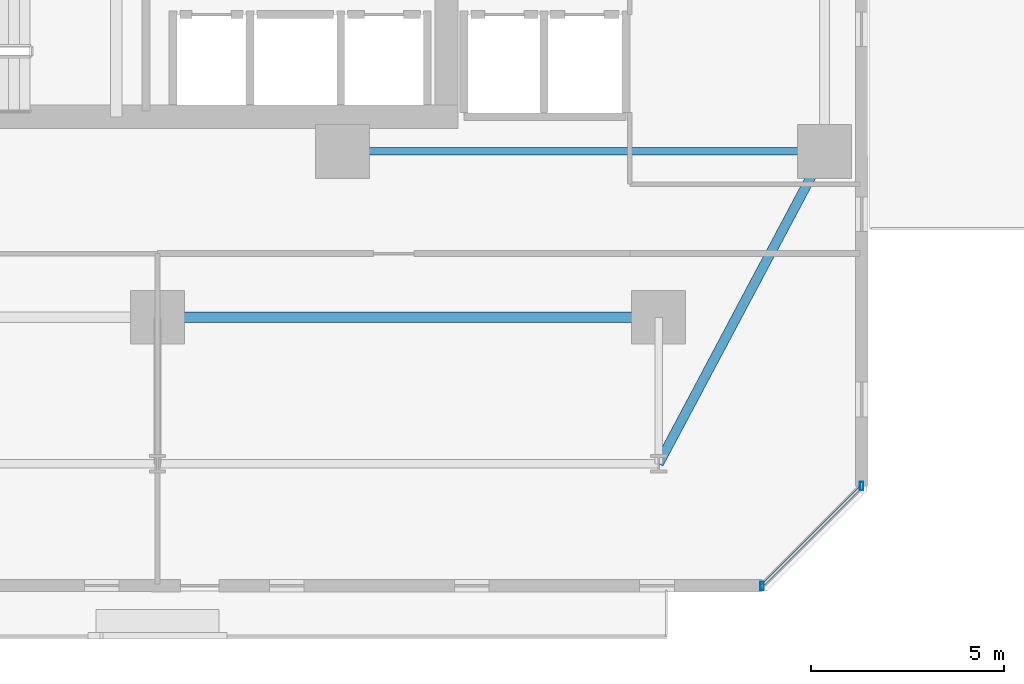
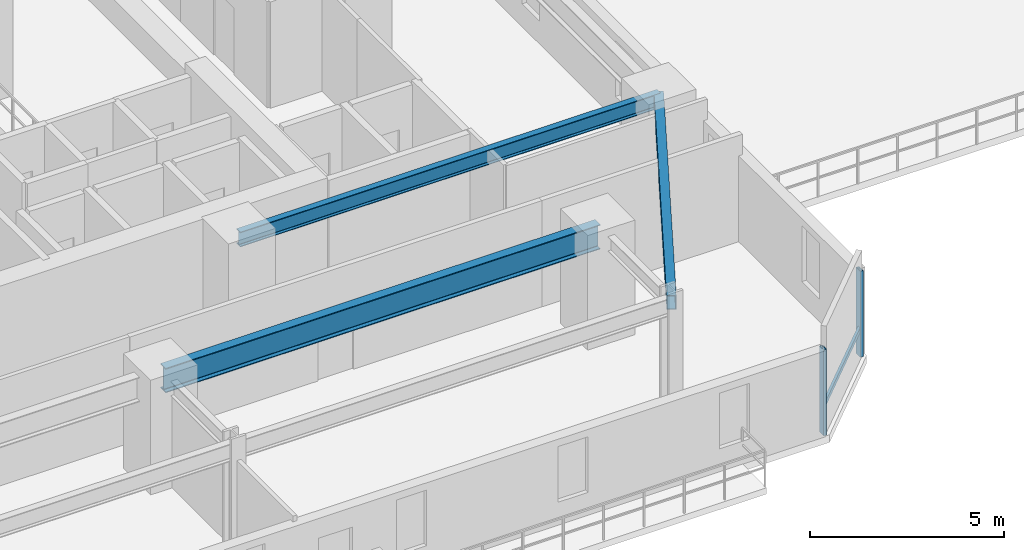
# One storey, part 5 of 34: 3 beams, 3 members, 1 element without a shape of its own.
"""IFC4 building model written with IfcOpenShell, lengths in metres."""

from ifc_helpers import new_model, si_unit, direction, frame, origin, origin_2d, place, context, subcontext, project, spatial, hollow_rectangle, i_section, extrude, material, material_profile, profile_set, type_object, element, aggregate, save


model = new_model("IFC4")

# Units and contexts
model_context = context("Model", 3, precision=1e-05, world=origin(), true_north=direction((0.0, 1.0)))
body_context = subcontext(model_context, "Body", "Model", "MODEL_VIEW")
ifc_project = project(units=[si_unit("LENGTHUNIT", "METRE"), si_unit("AREAUNIT", "SQUARE_METRE"), si_unit("VOLUMEUNIT", "CUBIC_METRE"), si_unit("PLANEANGLEUNIT", "RADIAN"), si_unit("MASSUNIT", "GRAM", prefix="KILO")], contexts=[model_context])

# Site, building, storey
site_placement = place(None, origin())
site = spatial("IfcSite", under=ifc_project, at=site_placement, CompositionType="ELEMENT")
building_placement = place(site_placement, origin())
building = spatial("IfcBuilding", under=site, at=building_placement, Name="Thornwick Lancets Civic Towers", CompositionType="ELEMENT")
storey_placement = place(building_placement, frame((0.0, 0.0, 27.89990234375)))
storey = spatial("IfcBuildingStorey", under=building, at=storey_placement, Name="L06", CompositionType="ELEMENT", Elevation=27.89990234375)

# Beams
ifc_material_1 = material(Name="Steel S355JR", Category="steel")
ifc_material_profile_1 = material_profile(ifc_material_1, i_section(OverallWidth=0.26806640625, OverallDepth=0.769775390625, WebThickness=0.015625, FlangeThickness=0.025390625, FilletRadius=0.0166015625, at=origin_2d()), Name="UKB 762x267x197")
ifc_profile_set_1 = profile_set([ifc_material_profile_1], Name="Steel S355JR")
beam_type_1 = type_object("IfcBeamType", Name="BM_GIRD_762_197", PredefinedType="BEAM", material=ifc_profile_set_1)
beam_1_placement = place(storey_placement, frame((25.580078125, 9.699951171875, 2.97509765625), z_axis=(1.0, 0.0, 0.0), x_axis=(0.0, 1.0, 0.0)))
element("IfcBeam", 1, at=beam_1_placement, inside=storey, type_object=beam_type_1, Name="BM-SPINE-L06-A-1-2", PredefinedType="BEAM", context=body_context, shape_type="SweptSolid", body=[
    extrude(i_section(OverallWidth=0.26806640625, OverallDepth=0.769775390625, WebThickness=0.015625, FlangeThickness=0.025390625, FilletRadius=0.0166015625, at=origin_2d()), origin(), (0.0, 0.0, 1.0), 12.919921875),
])
ifc_material_profile_2 = material_profile(ifc_material_1, i_section(OverallWidth=0.19287109375, OverallDepth=0.46728515625, WebThickness=0.011474609375, FlangeThickness=0.01953125, FilletRadius=0.01025390625, at=origin_2d()), Name="UKB 457x191x98")
ifc_profile_set_2 = profile_set([ifc_material_profile_2], Name="Steel S355JR")
beam_type_2 = type_object("IfcBeamType", Name="BM_JOIST_457_98", PredefinedType="JOIST", material=ifc_profile_set_2)
beam_2_placement = place(storey_placement, frame((30.300048828125, 14.0, 3.12646484375), z_axis=(1.0, 0.0, 0.0), x_axis=(0.0, 1.0, 0.0)))
element("IfcBeam", 2, at=beam_2_placement, inside=storey, type_object=beam_type_2, Name="BM-RADIN-L06-A04", PredefinedType="JOIST", context=body_context, shape_type="SweptSolid", body=[
    extrude(i_section(OverallWidth=0.19287109375, OverallDepth=0.46728515625, WebThickness=0.011474609375, FlangeThickness=0.01953125, FilletRadius=0.01025390625, at=origin_2d()), origin(), (0.0, 0.0, 1.0), 12.5),
])
ifc_material_profile_3 = material_profile(ifc_material_1, hollow_rectangle(XDim=0.25, YDim=0.449951171875, WallThickness=0.01611328125, at=origin_2d()), Name="RHS 450x250x16")
ifc_profile_set_3 = profile_set([ifc_material_profile_3], Name="Steel S355JR")
beam_type_3 = type_object("IfcBeamType", Name="BM_RING_RHS450", PredefinedType="BEAM", material=ifc_profile_set_3)
beam_3_placement = place(storey_placement, frame((38.5, 5.89990234375, 3.135009765625), z_axis=(0.468889189758, 0.883256999818, 0.0), x_axis=(-0.883256999818, 0.468889189758, 0.0)))
element("IfcBeam", 3, at=beam_3_placement, inside=storey, type_object=beam_type_3, Name="BM-CHAMF-L06-A-C0", PredefinedType="BEAM", context=body_context, shape_type="SweptSolid", body=[
    extrude(hollow_rectangle(XDim=0.25, YDim=0.449951171875, WallThickness=0.01611328125, at=origin_2d()), origin(), (0.0, 0.0, 1.0), 9.170654296875),
])

# Curtain wall, members
ifc_material_2 = material(Name="Low-zone chamfered-corner unitised glass curtain wall", Category="glass")
curtain_wall_type = type_object("IfcCurtainWallType", Name="CW_SYS_03", PredefinedType="NOTDEFINED", material=ifc_material_2)
curtain_wall_placement = place(storey_placement, origin())
curtain_wall = element("IfcCurtainWall", 4, at=curtain_wall_placement, inside=storey, type_object=curtain_wall_type, Name="L06 Curtain Wall CW-L06-A-E1", PredefinedType="NOTDEFINED")
ifc_material_3 = material(Name="Thermally broken bronze aluminium S355", Category="steel")
ifc_material_profile_4 = material_profile(ifc_material_3, hollow_rectangle(XDim=0.090087890625, YDim=0.219970703125, WallThickness=0.00634765625, at=origin_2d()), Name="RHS 220x90x6.3")
ifc_profile_set_4 = profile_set([ifc_material_profile_4], Name="Thermally broken bronze aluminium S355")
member_type_1 = type_object("IfcMemberType", Name="CW_MUL_220", PredefinedType="MULLION", material=ifc_profile_set_4)
member_1_placement = place(storey_placement, frame((41.18115234375, 2.735107421875, 0.0), z_axis=(0.0, 0.0, 1.0), x_axis=(1.0, 0.0, 0.0)))
member_1 = element("IfcMember", 5, at=member_1_placement, type_object=member_type_1, Name="CW-L06-A-E1 Mullion 0", PredefinedType="MULLION", context=body_context, shape_type="SweptSolid", body=[
    extrude(hollow_rectangle(XDim=0.090087890625, YDim=0.219970703125, WallThickness=0.00634765625, at=origin_2d()), origin(), (0.0, 0.0, 1.0), 2.7001953125),
])
member_2_placement = place(storey_placement, frame((43.764892578125, 5.31884765625, 0.0), z_axis=(0.0, 0.0, 1.0), x_axis=(1.0, 0.0, 0.0)))
member_2 = element("IfcMember", 6, at=member_2_placement, type_object=member_type_1, Name="CW-L06-A-E1 Mullion 1", PredefinedType="MULLION", context=body_context, shape_type="SweptSolid", body=[
    extrude(hollow_rectangle(XDim=0.090087890625, YDim=0.219970703125, WallThickness=0.00634765625, at=origin_2d()), origin(), (0.0, 0.0, 1.0), 2.7001953125),
])
ifc_material_profile_5 = material_profile(ifc_material_3, hollow_rectangle(XDim=0.074951171875, YDim=0.14990234375, WallThickness=0.0048828125, at=origin_2d()), Name="RHS 150x75x5")
ifc_profile_set_5 = profile_set([ifc_material_profile_5], Name="Thermally broken bronze aluminium S355")
member_type_2 = type_object("IfcMemberType", Name="CW_TRN_150", PredefinedType="USERDEFINED", material=ifc_profile_set_5)
member_3_placement = place(storey_placement, frame((41.1953125, 2.749267578125, 0.85009765625), z_axis=(0.707106781187, 0.707106781187, 0.0), x_axis=(-0.707106781187, 0.707106781187, 0.0)))
member_3 = element("IfcMember", 7, at=member_3_placement, type_object=member_type_2, Name="CW-L06-A-E1 Transom 0", ObjectType="TRANSOM", PredefinedType="USERDEFINED", context=body_context, shape_type="SweptSolid", body=[
    extrude(hollow_rectangle(XDim=0.074951171875, YDim=0.14990234375, WallThickness=0.0048828125, at=origin_2d()), origin(), (0.0, 0.0, 1.0), 3.614013671875),
])
aggregate(curtain_wall, [member_1, member_2, member_3])

save(model, "model.ifc")
